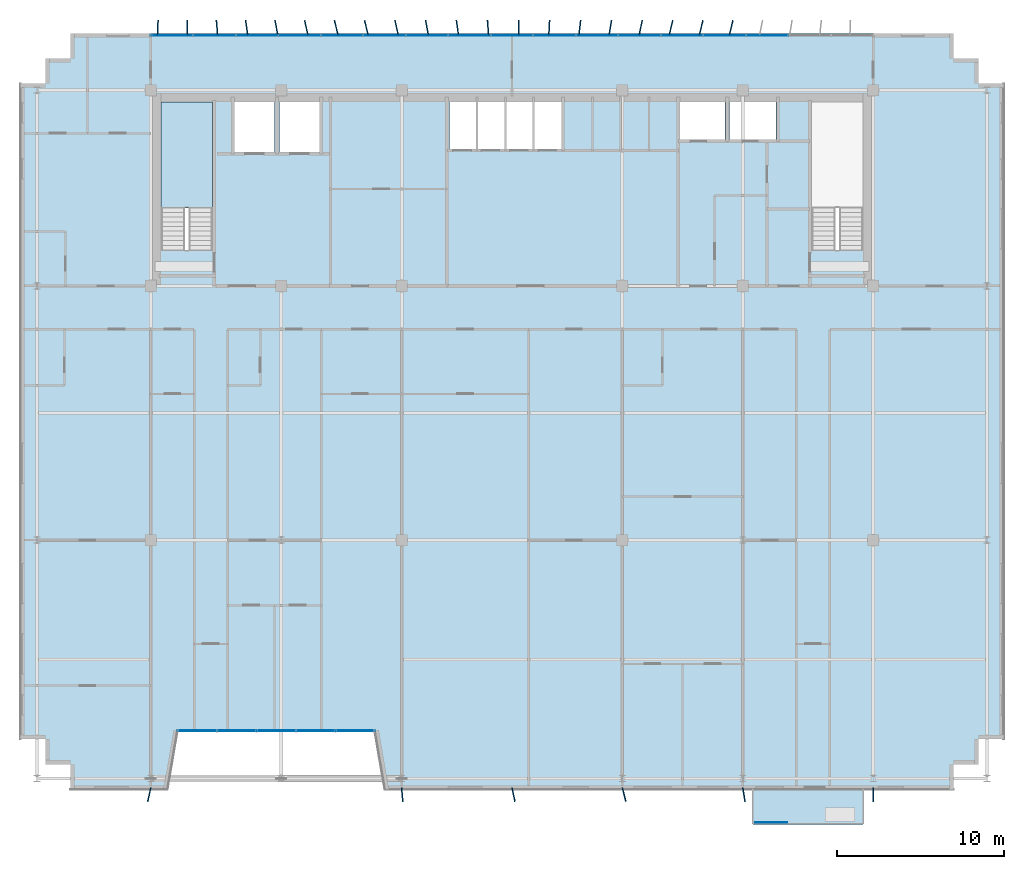
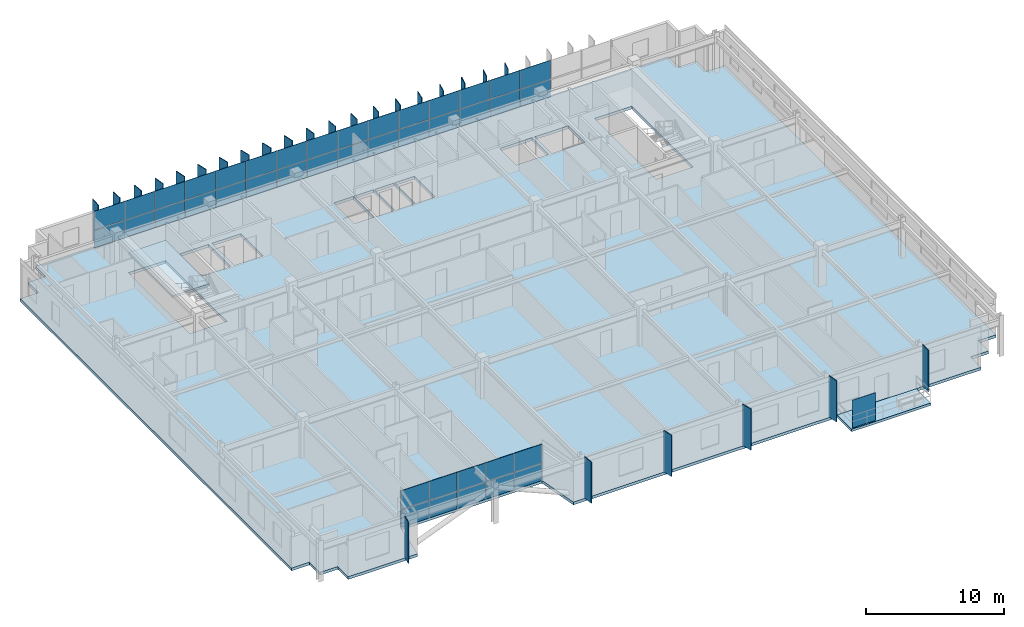
# One storey, part 16 of 24: 67 plates, 3 slabs, 3 elements without a shape of their own.
"""IFC4 building model written with IfcOpenShell, lengths in metres."""

from ifc_helpers import new_model, si_unit, direction, frame, origin, origin_2d, place, context, subcontext, project, spatial, polyline, rectangle, outline, extrude, source, transform, mapped, material, layer, layer_set, type_object, element, aggregate, save


model = new_model("IFC4")

# Units and contexts
model_context = context("Model", 3, precision=1e-05, world=origin(), true_north=direction((0.0, 1.0)))
body_context = subcontext(model_context, "Body", "Model", "MODEL_VIEW")
ifc_project = project(units=[si_unit("LENGTHUNIT", "METRE"), si_unit("AREAUNIT", "SQUARE_METRE"), si_unit("VOLUMEUNIT", "CUBIC_METRE"), si_unit("PLANEANGLEUNIT", "RADIAN"), si_unit("MASSUNIT", "GRAM", prefix="KILO")], contexts=[model_context])

# Site, building, storey
site_placement = place(None, origin())
site = spatial("IfcSite", under=ifc_project, at=site_placement, CompositionType="ELEMENT")
building_placement = place(site_placement, origin())
building = spatial("IfcBuilding", under=site, at=building_placement, Name="Trelvane Seafront Commons", CompositionType="ELEMENT")
storey_placement = place(building_placement, frame((0.0, 0.0, 178.89990234375)))
storey = spatial("IfcBuildingStorey", under=building, at=storey_placement, Name="L47", CompositionType="ELEMENT", Elevation=178.89990234375)

# Slab
ifc_material_1 = material(Name="Concrete C40/50", Category="concrete")
ifc_layer_1 = layer(ifc_material_1, 0.219970703125, Name="ARCH-BALC-220")
ifc_layer_set_1 = layer_set([ifc_layer_1], Name="Concrete C40/50")
slab_type_1 = type_object("IfcSlabType", Name="ARCH-BALC-220", PredefinedType="FLOOR", material=ifc_layer_set_1)
slab_1_placement = place(storey_placement, frame((0.0, 0.0, -0.219970703125)))
element("IfcSlab", 1, at=slab_1_placement, inside=storey, type_object=slab_type_1, Name="L47 Cantilevered Tree Balcony Loggia 2", PredefinedType="FLOOR", context=body_context, shape_type="SweptSolid", body=[
    extrude(outline(polyline([(51.60009765625, 1.199951171875), (58.199951171875, 1.199951171875), (58.199951171875, 3.300048828125), (51.60009765625, 3.300048828125), (51.60009765625, 1.199951171875)])), origin(), (0.0, 0.0, 1.0), 0.219970703125),
])

# Stair, slab
stair_type = type_object("IfcStairType", Name="ARCH-STR-ST-1-R20-180", PredefinedType="HALF_TURN_STAIR", material=ifc_material_1)
stair_placement = place(storey_placement, origin())
stair = element("IfcStair", 2, at=stair_placement, inside=storey, type_object=stair_type, Name="L47 West Protected Firefighting Exit Stair ST-1", PredefinedType="HALF_TURN_STAIR")
ifc_layer_2 = layer(ifc_material_1, 0.199951171875, Name="ARCH-LND-200")
ifc_layer_set_2 = layer_set([ifc_layer_2], Name="Concrete C40/50")
slab_type_2 = type_object("IfcSlabType", Name="ARCH-LND-200", PredefinedType="LANDING", material=ifc_layer_set_2)
slab_2_placement = place(storey_placement, frame((0.0, 0.0, 1.60009765625)))
slab_2 = element("IfcSlab", 3, at=slab_2_placement, type_object=slab_type_2, Name="ST-1 landing 1", PredefinedType="LANDING", context=body_context, shape_type="SweptSolid", body=[
    extrude(outline(polyline([(19.300048828125, 38.070068359375), (19.300048828125, 44.39990234375), (16.199951171875, 44.39990234375), (16.199951171875, 38.070068359375), (19.300048828125, 38.070068359375)])), origin(), (0.0, 0.0, 1.0), 0.199951171875),
])
aggregate(stair, [slab_2])

# Slab
ifc_material_2 = material(Name="Concrete C50/60", Category="concrete")
ifc_layer_3 = layer(ifc_material_2, 0.25, Name="STR-SLB-Z3-250")
ifc_layer_set_3 = layer_set([ifc_layer_3], Name="Concrete C50/60")
slab_type_3 = type_object("IfcSlabType", Name="STR-SLB-Z3-250", PredefinedType="FLOOR", material=ifc_layer_set_3)
slab_3_placement = place(storey_placement, frame((0.0, 0.0, -0.25)))
element("IfcSlab", 4, at=slab_3_placement, inside=storey, type_object=slab_type_3, Name="L47 Structural Floor Slab", PredefinedType="FLOOR", context=body_context, shape_type="SweptSolid", body=[
    extrude(outline(polyline([(10.800048828125, 3.300048828125), (16.60009765625, 3.300048828125), (17.199951171875, 6.800048828125), (29.0, 6.800048828125), (29.60009765625, 3.300048828125), (63.60009765625, 3.300048828125), (63.60009765625, 4.800048828125), (65.10009765625, 4.800048828125), (65.10009765625, 6.300048828125), (66.60009765625, 6.300048828125), (66.60009765625, 45.5), (65.10009765625, 45.5), (65.10009765625, 47.0), (63.60009765625, 47.0), (63.60009765625, 48.5), (10.800048828125, 48.5), (10.800048828125, 47.0), (9.300048828125, 47.0), (9.300048828125, 45.5), (7.800048828125, 45.5), (7.800048828125, 6.300048828125), (9.300048828125, 6.300048828125), (9.300048828125, 4.800048828125), (10.800048828125, 4.800048828125), (10.800048828125, 3.300048828125)]), holes=[polyline([(19.300048828125, 35.550048828125), (16.199951171875, 35.550048828125), (16.199951171875, 44.39990234375), (19.300048828125, 44.39990234375), (19.300048828125, 35.550048828125)]), polyline([(58.199951171875, 35.550048828125), (55.10009765625, 35.550048828125), (55.10009765625, 44.39990234375), (58.199951171875, 44.39990234375), (58.199951171875, 35.550048828125)]), polyline([(23.0, 41.39990234375), (20.60009765625, 41.39990234375), (20.60009765625, 44.60009765625), (23.0, 44.60009765625), (23.0, 41.39990234375)]), polyline([(23.300048828125, 41.39990234375), (23.300048828125, 44.60009765625), (25.699951171875, 44.60009765625), (25.699951171875, 41.39990234375), (23.300048828125, 41.39990234375)]), polyline([(33.449951171875, 41.60009765625), (33.449951171875, 44.60009765625), (35.070068359375, 44.60009765625), (35.070068359375, 41.60009765625), (33.449951171875, 41.60009765625)]), polyline([(36.77001953125, 41.60009765625), (35.14990234375, 41.60009765625), (35.14990234375, 44.60009765625), (36.77001953125, 44.60009765625), (36.77001953125, 41.60009765625)]), polyline([(38.469970703125, 41.60009765625), (36.85009765625, 41.60009765625), (36.85009765625, 44.60009765625), (38.469970703125, 44.60009765625), (38.469970703125, 41.60009765625)]), polyline([(40.169921875, 41.60009765625), (38.550048828125, 41.60009765625), (38.550048828125, 44.60009765625), (40.169921875, 44.60009765625), (40.169921875, 41.60009765625)]), polyline([(47.25, 42.14990234375), (47.25, 44.550048828125), (49.949951171875, 44.550048828125), (49.949951171875, 42.14990234375), (47.25, 42.14990234375)]), polyline([(50.199951171875, 42.14990234375), (50.199951171875, 44.550048828125), (53.0, 44.550048828125), (53.0, 42.14990234375), (50.199951171875, 42.14990234375)])]), origin(), (0.0, 0.0, 1.0), 0.25),
])

# Plates
ifc_material_3 = material(Name="Perforated anodised aluminium screen", Category="aluminium")
ifc_layer_4 = layer(ifc_material_3, 0.01611328125, Name="ARCH-PLATE-SCREEN")
ifc_layer_set_4 = layer_set([ifc_layer_4], Name="Perforated anodised aluminium screen")
plate_type_1 = type_object("IfcPlateType", Name="ARCH-PLATE-SCREEN", PredefinedType="USERDEFINED", material=ifc_layer_set_4)
shared_shape_1 = source(origin(), body_context, "Body", "SweptSolid", [
    extrude(rectangle(XDim=1.9140625, YDim=0.01611328125, at=origin_2d()), origin(), (0.0, 0.0, 1.0), 2.449951171875),
])
plate_1_placement = place(storey_placement, frame((52.70703125, 1.320068359375, 0.0), z_axis=(0.0, 0.0, 1.0), x_axis=(1.0, 0.0, 0.0)))
element("IfcPlate", 5, at=plate_1_placement, inside=storey, type_object=plate_type_1, Name="SCR-L47-00169", ObjectType="SCREEN", PredefinedType="USERDEFINED", context=body_context, shape_type="MappedRepresentation", body=[
    mapped(shared_shape_1, transform((0.0, 0.0, 0.0), x_axis=(1.0, 0.0, 0.0), y_axis=(0.0, 1.0, 0.0), z_axis=(0.0, 0.0, 1.0), scale=1.0)),
])
ifc_material_4 = material(Name="Anodised pale-silver aluminium", Category="aluminium")
ifc_layer_5 = layer(ifc_material_4, 0.06005859375, Name="ARCH-PLATE-FIN900")
ifc_layer_set_5 = layer_set([ifc_layer_5], Name="Anodised pale-silver aluminium")
plate_type_2 = type_object("IfcPlateType", Name="ARCH-PLATE-FIN900", PredefinedType="USERDEFINED", material=ifc_layer_set_5)
shared_shape_2 = source(origin(), body_context, "Body", "SweptSolid", [
    extrude(rectangle(XDim=0.89990234375, YDim=0.06005859375, at=origin_2d()), origin(), (0.0, 0.0, 1.0), 3.639892578125),
])
for number, where, z_axis, x_axis, name in (
    (6, (16.020263671875, 48.849609375, -0.02001953125), (0.0, 0.0, 1.0), (0.04488874218, 0.998991992373, 0.0), "FIN-L47-01307"),
    (7, (17.790283203125, 48.849853515625, -0.02001953125), (0.0, 0.0, 1.0), (-0.021554892127, 0.999767666323, 0.0), "FIN-L47-01308"),
    (8, (19.561279296875, 48.848388671875, -0.02001953125), (0.0, 0.0, 1.0), (-0.086336791462, 0.996266007871, 0.0), "FIN-L47-01309"),
    (9, (21.3349609375, 48.84521484375, -0.02001953125), (0.0, 0.0, 1.0), (-0.144330295227, 0.989529567966, 0.0), "FIN-L47-01310"),
    (10, (23.11376953125, 48.841796875, -0.02001953125), (0.0, 0.0, 1.0), (-0.191434297479, 0.98150543032, 0.0), "FIN-L47-01311"),
    (11, (24.899169921875, 48.83837890625, -0.02001953125), (0.0, 0.0, 1.0), (-0.224112577062, 0.974563262597, 0.0), "FIN-L47-01312"),
    (12, (26.69189453125, 48.8369140625, -0.02001953125), (0.0, 0.0, 1.0), (-0.240338165223, 0.970689222325, 0.0), "FIN-L47-01313"),
    (13, (28.492431640625, 48.8369140625, -0.02001953125), (0.0, 0.0, 1.0), (-0.239004625323, 0.971018428803, 0.0), "FIN-L47-01314"),
    (14, (30.30078125, 48.8388671875, -0.02001953125), (0.0, 0.0, 1.0), (-0.220329723955, 0.97542545217, 0.0), "FIN-L47-01315"),
    (15, (32.11669921875, 48.84228515625, -0.02001953125), (0.0, 0.0, 1.0), (-0.185335613167, 0.982675282325, 0.0), "FIN-L47-01316"),
    (16, (33.938720703125, 48.845703125, -0.02001953125), (0.0, 0.0, 1.0), (-0.136441792005, 0.990648089583, 0.0), "FIN-L47-01317"),
    (17, (35.765380859375, 48.8486328125, -0.02001953125), (0.0, 0.0, 1.0), (-0.077112304034, 0.997022413272, 0.0), "FIN-L47-01318"),
    (18, (37.5947265625, 48.849853515625, -0.02001953125), (0.0, 0.0, 1.0), (-0.011778954729, 0.999930625706, 0.0), "FIN-L47-01319"),
    (19, (39.424560546875, 48.849365234375, -0.02001953125), (0.0, 0.0, 1.0), (0.054443049408, 0.998516877359, 0.0), "FIN-L47-01320"),
    (20, (41.25244140625, 48.846923828125, -0.02001953125), (0.0, 0.0, 1.0), (0.116441923913, 0.993197502189, 0.0), "FIN-L47-01321"),
    (21, (43.076416015625, 48.843505859375, -0.02001953125), (0.0, 0.0, 1.0), (0.169549034276, 0.985521752665, 0.0), "FIN-L47-01322"),
    (22, (44.894287109375, 48.840087890625, -0.02001953125), (0.0, 0.0, 1.0), (0.209666346157, 0.977772991696, 0.0), "FIN-L47-01323"),
    (23, (46.705322265625, 48.83740234375, -0.02001953125), (0.0, 0.0, 1.0), (0.234343033126, 0.97215397074, 0.0), "FIN-L47-01324"),
    (24, (48.5087890625, 48.836669921875, -0.02001953125), (0.0, 0.0, 1.0), (0.241881251735, 0.970305859025, 0.0), "FIN-L47-01325"),
    (25, (50.30419921875, 48.837646484375, -0.02001953125), (0.0, 0.0, 1.0), (0.231775068431, 0.972769406208, 0.0), "FIN-L47-01326"),
):
    element("IfcPlate", number, at=place(storey_placement, frame(where, z_axis=z_axis, x_axis=x_axis)), inside=storey, type_object=plate_type_2, Name=name, ObjectType="FIN", PredefinedType="USERDEFINED", context=body_context, shape_type="MappedRepresentation", body=[
        mapped(shared_shape_2, transform((0.0, 0.0, 0.0), x_axis=(1.0, 0.0, 0.0), y_axis=(0.0, 1.0, 0.0), z_axis=(0.0, 0.0, 1.0), scale=1.0)),
    ])
shared_shape_3 = source(origin(), body_context, "Body", "SweptSolid", [
    extrude(rectangle(XDim=0.85009765625, YDim=0.06005859375, at=origin_2d()), origin(), (0.0, 0.0, 1.0), 3.639892578125),
])
for number, where, z_axis, x_axis, name in (
    (26, (15.51025390625, 2.984619140625, -0.02001953125), (0.0, 0.0, 1.0), (-0.211046724162, -0.977475974242, 0.0), "FIN-S-L47-01331"),
    (27, (30.635009765625, 2.976318359375, -0.02001953125), (0.0, 0.0, 1.0), (0.082354232521, -0.996603120799, 0.0), "FIN-S-L47-01332"),
    (28, (37.2890625, 2.984375, -0.02001953125), (0.0, 0.0, 1.0), (0.209649280767, -0.977776650915, 0.0), "FIN-S-L47-01333"),
    (29, (43.9013671875, 2.9873046875, -0.02001953125), (0.0, 0.0, 1.0), (0.238353788896, -0.971178393149, 0.0), "FIN-S-L47-01334"),
    (30, (51.06640625, 2.980224609375, -0.02001953125), (0.0, 0.0, 1.0), (0.156227600648, -0.98772108249, 0.0), "FIN-S-L47-01335"),
    (31, (58.7998046875, 2.97509765625, -0.02001953125), (0.0, 0.0, 1.0), (-0.000705112959, -0.999999751408, 0.0), "FIN-S-L47-01336"),
):
    element("IfcPlate", number, at=place(storey_placement, frame(where, z_axis=z_axis, x_axis=x_axis)), inside=storey, type_object=plate_type_2, Name=name, ObjectType="FIN", PredefinedType="USERDEFINED", context=body_context, shape_type="MappedRepresentation", body=[
        mapped(shared_shape_3, transform((0.0, 0.0, 0.0), x_axis=(1.0, 0.0, 0.0), y_axis=(0.0, 1.0, 0.0), z_axis=(0.0, 0.0, 1.0), scale=1.0)),
    ])

# Curtain wall, plates
curtain_wall_type_1 = type_object("IfcCurtainWallType", Name="ARCH-CW3-PORTAL", PredefinedType="NOTDEFINED", material=ifc_material_4)
curtain_wall_1_placement = place(storey_placement, origin())
curtain_wall_1 = element("IfcCurtainWall", 32, at=curtain_wall_1_placement, inside=storey, type_object=curtain_wall_type_1, Name="CW-L47-VN-0076", PredefinedType="NOTDEFINED")
ifc_material_5 = material(Name="Low-E coastal double glazing", Category="glass")
ifc_layer_6 = layer(ifc_material_5, 0.033935546875, Name="ARCH-CW-GLAZ-34")
ifc_layer_set_6 = layer_set([ifc_layer_6], Name="Low-E coastal double glazing")
plate_type_3 = type_object("IfcPlateType", Name="ARCH-CW-GLAZ-34", PredefinedType="CURTAIN_PANEL", material=ifc_layer_set_6)
shared_shape_4 = source(origin(), body_context, "Body", "SweptSolid", [
    extrude(rectangle(XDim=2.3359375, YDim=0.0380859375, at=origin_2d()), origin(), (0.0, 0.0, 1.0), 1.528076171875),
])
plate_2_placement = place(storey_placement, frame((27.820068359375, 6.800048828125, 0.0), z_axis=(0.0, 0.0, 1.0), x_axis=(-1.0, 0.0, 0.0)))
plate_2 = element("IfcPlate", 33, at=plate_2_placement, type_object=plate_type_3, Name="CW-L47-VN-0076-P00-1", PredefinedType="CURTAIN_PANEL", context=body_context, shape_type="MappedRepresentation", body=[
    mapped(shared_shape_4, transform((0.0, 0.0, 0.0), x_axis=(1.0, 0.0, 0.0), y_axis=(0.0, 1.0, 0.0), z_axis=(0.0, 0.0, 1.0), scale=1.0)),
])
plate_3_placement = place(storey_placement, frame((25.4599609375, 6.800048828125, 0.0), z_axis=(0.0, 0.0, 1.0), x_axis=(-1.0, 0.0, 0.0)))
plate_3 = element("IfcPlate", 34, at=plate_3_placement, type_object=plate_type_3, Name="CW-L47-VN-0076-P01-1", PredefinedType="CURTAIN_PANEL", context=body_context, shape_type="MappedRepresentation", body=[
    mapped(shared_shape_4, transform((0.0, 0.0, 0.0), x_axis=(1.0, 0.0, 0.0), y_axis=(0.0, 1.0, 0.0), z_axis=(0.0, 0.0, 1.0), scale=1.0)),
])
plate_4_placement = place(storey_placement, frame((23.10009765625, 6.800048828125, 0.0), z_axis=(0.0, 0.0, 1.0), x_axis=(-1.0, 0.0, 0.0)))
plate_4 = element("IfcPlate", 35, at=plate_4_placement, type_object=plate_type_3, Name="CW-L47-VN-0076-P02-1", PredefinedType="CURTAIN_PANEL", context=body_context, shape_type="MappedRepresentation", body=[
    mapped(shared_shape_4, transform((0.0, 0.0, 0.0), x_axis=(1.0, 0.0, 0.0), y_axis=(0.0, 1.0, 0.0), z_axis=(0.0, 0.0, 1.0), scale=1.0)),
])
plate_5_placement = place(storey_placement, frame((20.739990234375, 6.800048828125, 0.0), z_axis=(0.0, 0.0, 1.0), x_axis=(-1.0, 0.0, 0.0)))
plate_5 = element("IfcPlate", 36, at=plate_5_placement, type_object=plate_type_3, Name="CW-L47-VN-0076-P03-1", PredefinedType="CURTAIN_PANEL", context=body_context, shape_type="MappedRepresentation", body=[
    mapped(shared_shape_4, transform((0.0, 0.0, 0.0), x_axis=(1.0, 0.0, 0.0), y_axis=(0.0, 1.0, 0.0), z_axis=(0.0, 0.0, 1.0), scale=1.0)),
])
plate_6_placement = place(storey_placement, frame((18.3798828125, 6.800048828125, 0.0), z_axis=(0.0, 0.0, 1.0), x_axis=(-1.0, 0.0, 0.0)))
plate_6 = element("IfcPlate", 37, at=plate_6_placement, type_object=plate_type_3, Name="CW-L47-VN-0076-P04-1", PredefinedType="CURTAIN_PANEL", context=body_context, shape_type="MappedRepresentation", body=[
    mapped(shared_shape_4, transform((0.0, 0.0, 0.0), x_axis=(1.0, 0.0, 0.0), y_axis=(0.0, 1.0, 0.0), z_axis=(0.0, 0.0, 1.0), scale=1.0)),
])
shared_shape_5 = source(origin(), body_context, "Body", "SweptSolid", [
    extrude(rectangle(XDim=2.3359375, YDim=0.0380859375, at=origin_2d()), origin(), (0.0, 0.0, 1.0), 1.656005859375),
])
plate_7_placement = place(storey_placement, frame((27.820068359375, 6.800048828125, 1.56396484375), z_axis=(0.0, 0.0, 1.0), x_axis=(-1.0, 0.0, 0.0)))
plate_7 = element("IfcPlate", 38, at=plate_7_placement, type_object=plate_type_3, Name="CW-L47-VN-0076-P00-2", PredefinedType="CURTAIN_PANEL", context=body_context, shape_type="MappedRepresentation", body=[
    mapped(shared_shape_5, transform((0.0, 0.0, 0.0), x_axis=(1.0, 0.0, 0.0), y_axis=(0.0, 1.0, 0.0), z_axis=(0.0, 0.0, 1.0), scale=1.0)),
])
plate_8_placement = place(storey_placement, frame((25.4599609375, 6.800048828125, 1.56396484375), z_axis=(0.0, 0.0, 1.0), x_axis=(-1.0, 0.0, 0.0)))
plate_8 = element("IfcPlate", 39, at=plate_8_placement, type_object=plate_type_3, Name="CW-L47-VN-0076-P01-2", PredefinedType="CURTAIN_PANEL", context=body_context, shape_type="MappedRepresentation", body=[
    mapped(shared_shape_5, transform((0.0, 0.0, 0.0), x_axis=(1.0, 0.0, 0.0), y_axis=(0.0, 1.0, 0.0), z_axis=(0.0, 0.0, 1.0), scale=1.0)),
])
plate_9_placement = place(storey_placement, frame((23.10009765625, 6.800048828125, 1.56396484375), z_axis=(0.0, 0.0, 1.0), x_axis=(-1.0, 0.0, 0.0)))
plate_9 = element("IfcPlate", 40, at=plate_9_placement, type_object=plate_type_3, Name="CW-L47-VN-0076-P02-2", PredefinedType="CURTAIN_PANEL", context=body_context, shape_type="MappedRepresentation", body=[
    mapped(shared_shape_5, transform((0.0, 0.0, 0.0), x_axis=(1.0, 0.0, 0.0), y_axis=(0.0, 1.0, 0.0), z_axis=(0.0, 0.0, 1.0), scale=1.0)),
])
plate_10_placement = place(storey_placement, frame((20.739990234375, 6.800048828125, 1.56396484375), z_axis=(0.0, 0.0, 1.0), x_axis=(-1.0, 0.0, 0.0)))
plate_10 = element("IfcPlate", 41, at=plate_10_placement, type_object=plate_type_3, Name="CW-L47-VN-0076-P03-2", PredefinedType="CURTAIN_PANEL", context=body_context, shape_type="MappedRepresentation", body=[
    mapped(shared_shape_5, transform((0.0, 0.0, 0.0), x_axis=(1.0, 0.0, 0.0), y_axis=(0.0, 1.0, 0.0), z_axis=(0.0, 0.0, 1.0), scale=1.0)),
])
plate_11_placement = place(storey_placement, frame((18.3798828125, 6.800048828125, 1.56396484375), z_axis=(0.0, 0.0, 1.0), x_axis=(-1.0, 0.0, 0.0)))
plate_11 = element("IfcPlate", 42, at=plate_11_placement, type_object=plate_type_3, Name="CW-L47-VN-0076-P04-2", PredefinedType="CURTAIN_PANEL", context=body_context, shape_type="MappedRepresentation", body=[
    mapped(shared_shape_5, transform((0.0, 0.0, 0.0), x_axis=(1.0, 0.0, 0.0), y_axis=(0.0, 1.0, 0.0), z_axis=(0.0, 0.0, 1.0), scale=1.0)),
])
aggregate(curtain_wall_1, [plate_2, plate_7, plate_3, plate_8, plate_4, plate_9, plate_5, plate_10, plate_6, plate_11])

curtain_wall_type_2 = type_object("IfcCurtainWallType", Name="ARCH-CW5-UPTOWER", PredefinedType="NOTDEFINED", material=ifc_material_4)
curtain_wall_2_placement = place(storey_placement, origin())
curtain_wall_2 = element("IfcCurtainWall", 43, at=curtain_wall_2_placement, inside=storey, type_object=curtain_wall_type_2, Name="CW-L47-0075", PredefinedType="NOTDEFINED")
shared_shape_6 = source(origin(), body_context, "Body", "SweptSolid", [
    extrude(rectangle(XDim=2.51708984375, YDim=0.033935546875, at=origin_2d()), origin(), (0.0, 0.0, 1.0), 1.528076171875),
])
plate_12_placement = place(storey_placement, frame((16.87060546875, 48.3701171875, 0.0), z_axis=(0.0, 0.0, 1.0), x_axis=(1.0, 0.0, 0.0)))
plate_12 = element("IfcPlate", 44, at=plate_12_placement, type_object=plate_type_3, Name="CW-L47-0075-P00-1", PredefinedType="CURTAIN_PANEL", context=body_context, shape_type="MappedRepresentation", body=[
    mapped(shared_shape_6, transform((0.0, 0.0, 0.0), x_axis=(1.0, 0.0, 0.0), y_axis=(0.0, 1.0, 0.0), z_axis=(0.0, 0.0, 1.0), scale=1.0)),
])
plate_13_placement = place(storey_placement, frame((19.411865234375, 48.3701171875, 0.0), z_axis=(0.0, 0.0, 1.0), x_axis=(1.0, 0.0, 0.0)))
plate_13 = element("IfcPlate", 45, at=plate_13_placement, type_object=plate_type_3, Name="CW-L47-0075-P01-1", PredefinedType="CURTAIN_PANEL", context=body_context, shape_type="MappedRepresentation", body=[
    mapped(shared_shape_6, transform((0.0, 0.0, 0.0), x_axis=(1.0, 0.0, 0.0), y_axis=(0.0, 1.0, 0.0), z_axis=(0.0, 0.0, 1.0), scale=1.0)),
])
plate_14_placement = place(storey_placement, frame((21.952880859375, 48.3701171875, 0.0), z_axis=(0.0, 0.0, 1.0), x_axis=(1.0, 0.0, 0.0)))
plate_14 = element("IfcPlate", 46, at=plate_14_placement, type_object=plate_type_3, Name="CW-L47-0075-P02-1", PredefinedType="CURTAIN_PANEL", context=body_context, shape_type="MappedRepresentation", body=[
    mapped(shared_shape_6, transform((0.0, 0.0, 0.0), x_axis=(1.0, 0.0, 0.0), y_axis=(0.0, 1.0, 0.0), z_axis=(0.0, 0.0, 1.0), scale=1.0)),
])
plate_15_placement = place(storey_placement, frame((24.494140625, 48.3701171875, 0.0), z_axis=(0.0, 0.0, 1.0), x_axis=(1.0, 0.0, 0.0)))
plate_15 = element("IfcPlate", 47, at=plate_15_placement, type_object=plate_type_3, Name="CW-L47-0075-P03-1", PredefinedType="CURTAIN_PANEL", context=body_context, shape_type="MappedRepresentation", body=[
    mapped(shared_shape_6, transform((0.0, 0.0, 0.0), x_axis=(1.0, 0.0, 0.0), y_axis=(0.0, 1.0, 0.0), z_axis=(0.0, 0.0, 1.0), scale=1.0)),
])
plate_16_placement = place(storey_placement, frame((27.035400390625, 48.3701171875, 0.0), z_axis=(0.0, 0.0, 1.0), x_axis=(1.0, 0.0, 0.0)))
plate_16 = element("IfcPlate", 48, at=plate_16_placement, type_object=plate_type_3, Name="CW-L47-0075-P04-1", PredefinedType="CURTAIN_PANEL", context=body_context, shape_type="MappedRepresentation", body=[
    mapped(shared_shape_6, transform((0.0, 0.0, 0.0), x_axis=(1.0, 0.0, 0.0), y_axis=(0.0, 1.0, 0.0), z_axis=(0.0, 0.0, 1.0), scale=1.0)),
])
plate_17_placement = place(storey_placement, frame((29.576416015625, 48.3701171875, 0.0), z_axis=(0.0, 0.0, 1.0), x_axis=(1.0, 0.0, 0.0)))
plate_17 = element("IfcPlate", 49, at=plate_17_placement, type_object=plate_type_3, Name="CW-L47-0075-P05-1", PredefinedType="CURTAIN_PANEL", context=body_context, shape_type="MappedRepresentation", body=[
    mapped(shared_shape_6, transform((0.0, 0.0, 0.0), x_axis=(1.0, 0.0, 0.0), y_axis=(0.0, 1.0, 0.0), z_axis=(0.0, 0.0, 1.0), scale=1.0)),
])
plate_18_placement = place(storey_placement, frame((32.11767578125, 48.3701171875, 0.0), z_axis=(0.0, 0.0, 1.0), x_axis=(1.0, 0.0, 0.0)))
plate_18 = element("IfcPlate", 50, at=plate_18_placement, type_object=plate_type_3, Name="CW-L47-0075-P06-1", PredefinedType="CURTAIN_PANEL", context=body_context, shape_type="MappedRepresentation", body=[
    mapped(shared_shape_6, transform((0.0, 0.0, 0.0), x_axis=(1.0, 0.0, 0.0), y_axis=(0.0, 1.0, 0.0), z_axis=(0.0, 0.0, 1.0), scale=1.0)),
])
plate_19_placement = place(storey_placement, frame((34.65869140625, 48.3701171875, 0.0), z_axis=(0.0, 0.0, 1.0), x_axis=(1.0, 0.0, 0.0)))
plate_19 = element("IfcPlate", 51, at=plate_19_placement, type_object=plate_type_3, Name="CW-L47-0075-P07-1", PredefinedType="CURTAIN_PANEL", context=body_context, shape_type="MappedRepresentation", body=[
    mapped(shared_shape_6, transform((0.0, 0.0, 0.0), x_axis=(1.0, 0.0, 0.0), y_axis=(0.0, 1.0, 0.0), z_axis=(0.0, 0.0, 1.0), scale=1.0)),
])
plate_20_placement = place(storey_placement, frame((37.199951171875, 48.3701171875, 0.0), z_axis=(0.0, 0.0, 1.0), x_axis=(1.0, 0.0, 0.0)))
plate_20 = element("IfcPlate", 52, at=plate_20_placement, type_object=plate_type_3, Name="CW-L47-0075-P08-1", PredefinedType="CURTAIN_PANEL", context=body_context, shape_type="MappedRepresentation", body=[
    mapped(shared_shape_6, transform((0.0, 0.0, 0.0), x_axis=(1.0, 0.0, 0.0), y_axis=(0.0, 1.0, 0.0), z_axis=(0.0, 0.0, 1.0), scale=1.0)),
])
plate_21_placement = place(storey_placement, frame((39.7412109375, 48.3701171875, 0.0), z_axis=(0.0, 0.0, 1.0), x_axis=(1.0, 0.0, 0.0)))
plate_21 = element("IfcPlate", 53, at=plate_21_placement, type_object=plate_type_3, Name="CW-L47-0075-P09-1", PredefinedType="CURTAIN_PANEL", context=body_context, shape_type="MappedRepresentation", body=[
    mapped(shared_shape_6, transform((0.0, 0.0, 0.0), x_axis=(1.0, 0.0, 0.0), y_axis=(0.0, 1.0, 0.0), z_axis=(0.0, 0.0, 1.0), scale=1.0)),
])
plate_22_placement = place(storey_placement, frame((42.282470703125, 48.3701171875, 0.0), z_axis=(0.0, 0.0, 1.0), x_axis=(1.0, 0.0, 0.0)))
plate_22 = element("IfcPlate", 54, at=plate_22_placement, type_object=plate_type_3, Name="CW-L47-0075-P10-1", PredefinedType="CURTAIN_PANEL", context=body_context, shape_type="MappedRepresentation", body=[
    mapped(shared_shape_6, transform((0.0, 0.0, 0.0), x_axis=(1.0, 0.0, 0.0), y_axis=(0.0, 1.0, 0.0), z_axis=(0.0, 0.0, 1.0), scale=1.0)),
])
plate_23_placement = place(storey_placement, frame((44.823486328125, 48.3701171875, 0.0), z_axis=(0.0, 0.0, 1.0), x_axis=(1.0, 0.0, 0.0)))
plate_23 = element("IfcPlate", 55, at=plate_23_placement, type_object=plate_type_3, Name="CW-L47-0075-P11-1", PredefinedType="CURTAIN_PANEL", context=body_context, shape_type="MappedRepresentation", body=[
    mapped(shared_shape_6, transform((0.0, 0.0, 0.0), x_axis=(1.0, 0.0, 0.0), y_axis=(0.0, 1.0, 0.0), z_axis=(0.0, 0.0, 1.0), scale=1.0)),
])
plate_24_placement = place(storey_placement, frame((47.36474609375, 48.3701171875, 0.0), z_axis=(0.0, 0.0, 1.0), x_axis=(1.0, 0.0, 0.0)))
plate_24 = element("IfcPlate", 56, at=plate_24_placement, type_object=plate_type_3, Name="CW-L47-0075-P12-1", PredefinedType="CURTAIN_PANEL", context=body_context, shape_type="MappedRepresentation", body=[
    mapped(shared_shape_6, transform((0.0, 0.0, 0.0), x_axis=(1.0, 0.0, 0.0), y_axis=(0.0, 1.0, 0.0), z_axis=(0.0, 0.0, 1.0), scale=1.0)),
])
plate_25_placement = place(storey_placement, frame((49.906005859375, 48.3701171875, 0.0), z_axis=(0.0, 0.0, 1.0), x_axis=(1.0, 0.0, 0.0)))
plate_25 = element("IfcPlate", 57, at=plate_25_placement, type_object=plate_type_3, Name="CW-L47-0075-P13-1", PredefinedType="CURTAIN_PANEL", context=body_context, shape_type="MappedRepresentation", body=[
    mapped(shared_shape_6, transform((0.0, 0.0, 0.0), x_axis=(1.0, 0.0, 0.0), y_axis=(0.0, 1.0, 0.0), z_axis=(0.0, 0.0, 1.0), scale=1.0)),
])
plate_26_placement = place(storey_placement, frame((52.447021484375, 48.3701171875, 0.0), z_axis=(0.0, 0.0, 1.0), x_axis=(1.0, 0.0, 0.0)))
plate_26 = element("IfcPlate", 58, at=plate_26_placement, type_object=plate_type_3, Name="CW-L47-0075-P14-1", PredefinedType="CURTAIN_PANEL", context=body_context, shape_type="MappedRepresentation", body=[
    mapped(shared_shape_6, transform((0.0, 0.0, 0.0), x_axis=(1.0, 0.0, 0.0), y_axis=(0.0, 1.0, 0.0), z_axis=(0.0, 0.0, 1.0), scale=1.0)),
])
shared_shape_7 = source(origin(), body_context, "Body", "SweptSolid", [
    extrude(rectangle(XDim=2.51708984375, YDim=0.033935546875, at=origin_2d()), origin(), (0.0, 0.0, 1.0), 1.656005859375),
])
plate_27_placement = place(storey_placement, frame((16.87060546875, 48.3701171875, 1.56396484375), z_axis=(0.0, 0.0, 1.0), x_axis=(1.0, 0.0, 0.0)))
plate_27 = element("IfcPlate", 59, at=plate_27_placement, type_object=plate_type_3, Name="CW-L47-0075-P00-2", PredefinedType="CURTAIN_PANEL", context=body_context, shape_type="MappedRepresentation", body=[
    mapped(shared_shape_7, transform((0.0, 0.0, 0.0), x_axis=(1.0, 0.0, 0.0), y_axis=(0.0, 1.0, 0.0), z_axis=(0.0, 0.0, 1.0), scale=1.0)),
])
plate_28_placement = place(storey_placement, frame((19.411865234375, 48.3701171875, 1.56396484375), z_axis=(0.0, 0.0, 1.0), x_axis=(1.0, 0.0, 0.0)))
plate_28 = element("IfcPlate", 60, at=plate_28_placement, type_object=plate_type_3, Name="CW-L47-0075-P01-2", PredefinedType="CURTAIN_PANEL", context=body_context, shape_type="MappedRepresentation", body=[
    mapped(shared_shape_7, transform((0.0, 0.0, 0.0), x_axis=(1.0, 0.0, 0.0), y_axis=(0.0, 1.0, 0.0), z_axis=(0.0, 0.0, 1.0), scale=1.0)),
])
plate_29_placement = place(storey_placement, frame((21.952880859375, 48.3701171875, 1.56396484375), z_axis=(0.0, 0.0, 1.0), x_axis=(1.0, 0.0, 0.0)))
plate_29 = element("IfcPlate", 61, at=plate_29_placement, type_object=plate_type_3, Name="CW-L47-0075-P02-2", PredefinedType="CURTAIN_PANEL", context=body_context, shape_type="MappedRepresentation", body=[
    mapped(shared_shape_7, transform((0.0, 0.0, 0.0), x_axis=(1.0, 0.0, 0.0), y_axis=(0.0, 1.0, 0.0), z_axis=(0.0, 0.0, 1.0), scale=1.0)),
])
plate_30_placement = place(storey_placement, frame((24.494140625, 48.3701171875, 1.56396484375), z_axis=(0.0, 0.0, 1.0), x_axis=(1.0, 0.0, 0.0)))
plate_30 = element("IfcPlate", 62, at=plate_30_placement, type_object=plate_type_3, Name="CW-L47-0075-P03-2", PredefinedType="CURTAIN_PANEL", context=body_context, shape_type="MappedRepresentation", body=[
    mapped(shared_shape_7, transform((0.0, 0.0, 0.0), x_axis=(1.0, 0.0, 0.0), y_axis=(0.0, 1.0, 0.0), z_axis=(0.0, 0.0, 1.0), scale=1.0)),
])
plate_31_placement = place(storey_placement, frame((27.035400390625, 48.3701171875, 1.56396484375), z_axis=(0.0, 0.0, 1.0), x_axis=(1.0, 0.0, 0.0)))
plate_31 = element("IfcPlate", 63, at=plate_31_placement, type_object=plate_type_3, Name="CW-L47-0075-P04-2", PredefinedType="CURTAIN_PANEL", context=body_context, shape_type="MappedRepresentation", body=[
    mapped(shared_shape_7, transform((0.0, 0.0, 0.0), x_axis=(1.0, 0.0, 0.0), y_axis=(0.0, 1.0, 0.0), z_axis=(0.0, 0.0, 1.0), scale=1.0)),
])
plate_32_placement = place(storey_placement, frame((29.576416015625, 48.3701171875, 1.56396484375), z_axis=(0.0, 0.0, 1.0), x_axis=(1.0, 0.0, 0.0)))
plate_32 = element("IfcPlate", 64, at=plate_32_placement, type_object=plate_type_3, Name="CW-L47-0075-P05-2", PredefinedType="CURTAIN_PANEL", context=body_context, shape_type="MappedRepresentation", body=[
    mapped(shared_shape_7, transform((0.0, 0.0, 0.0), x_axis=(1.0, 0.0, 0.0), y_axis=(0.0, 1.0, 0.0), z_axis=(0.0, 0.0, 1.0), scale=1.0)),
])
plate_33_placement = place(storey_placement, frame((32.11767578125, 48.3701171875, 1.56396484375), z_axis=(0.0, 0.0, 1.0), x_axis=(1.0, 0.0, 0.0)))
plate_33 = element("IfcPlate", 65, at=plate_33_placement, type_object=plate_type_3, Name="CW-L47-0075-P06-2", PredefinedType="CURTAIN_PANEL", context=body_context, shape_type="MappedRepresentation", body=[
    mapped(shared_shape_7, transform((0.0, 0.0, 0.0), x_axis=(1.0, 0.0, 0.0), y_axis=(0.0, 1.0, 0.0), z_axis=(0.0, 0.0, 1.0), scale=1.0)),
])
plate_34_placement = place(storey_placement, frame((34.65869140625, 48.3701171875, 1.56396484375), z_axis=(0.0, 0.0, 1.0), x_axis=(1.0, 0.0, 0.0)))
plate_34 = element("IfcPlate", 66, at=plate_34_placement, type_object=plate_type_3, Name="CW-L47-0075-P07-2", PredefinedType="CURTAIN_PANEL", context=body_context, shape_type="MappedRepresentation", body=[
    mapped(shared_shape_7, transform((0.0, 0.0, 0.0), x_axis=(1.0, 0.0, 0.0), y_axis=(0.0, 1.0, 0.0), z_axis=(0.0, 0.0, 1.0), scale=1.0)),
])
plate_35_placement = place(storey_placement, frame((37.199951171875, 48.3701171875, 1.56396484375), z_axis=(0.0, 0.0, 1.0), x_axis=(1.0, 0.0, 0.0)))
plate_35 = element("IfcPlate", 67, at=plate_35_placement, type_object=plate_type_3, Name="CW-L47-0075-P08-2", PredefinedType="CURTAIN_PANEL", context=body_context, shape_type="MappedRepresentation", body=[
    mapped(shared_shape_7, transform((0.0, 0.0, 0.0), x_axis=(1.0, 0.0, 0.0), y_axis=(0.0, 1.0, 0.0), z_axis=(0.0, 0.0, 1.0), scale=1.0)),
])
plate_36_placement = place(storey_placement, frame((39.7412109375, 48.3701171875, 1.56396484375), z_axis=(0.0, 0.0, 1.0), x_axis=(1.0, 0.0, 0.0)))
plate_36 = element("IfcPlate", 68, at=plate_36_placement, type_object=plate_type_3, Name="CW-L47-0075-P09-2", PredefinedType="CURTAIN_PANEL", context=body_context, shape_type="MappedRepresentation", body=[
    mapped(shared_shape_7, transform((0.0, 0.0, 0.0), x_axis=(1.0, 0.0, 0.0), y_axis=(0.0, 1.0, 0.0), z_axis=(0.0, 0.0, 1.0), scale=1.0)),
])
plate_37_placement = place(storey_placement, frame((42.282470703125, 48.3701171875, 1.56396484375), z_axis=(0.0, 0.0, 1.0), x_axis=(1.0, 0.0, 0.0)))
plate_37 = element("IfcPlate", 69, at=plate_37_placement, type_object=plate_type_3, Name="CW-L47-0075-P10-2", PredefinedType="CURTAIN_PANEL", context=body_context, shape_type="MappedRepresentation", body=[
    mapped(shared_shape_7, transform((0.0, 0.0, 0.0), x_axis=(1.0, 0.0, 0.0), y_axis=(0.0, 1.0, 0.0), z_axis=(0.0, 0.0, 1.0), scale=1.0)),
])
plate_38_placement = place(storey_placement, frame((44.823486328125, 48.3701171875, 1.56396484375), z_axis=(0.0, 0.0, 1.0), x_axis=(1.0, 0.0, 0.0)))
plate_38 = element("IfcPlate", 70, at=plate_38_placement, type_object=plate_type_3, Name="CW-L47-0075-P11-2", PredefinedType="CURTAIN_PANEL", context=body_context, shape_type="MappedRepresentation", body=[
    mapped(shared_shape_7, transform((0.0, 0.0, 0.0), x_axis=(1.0, 0.0, 0.0), y_axis=(0.0, 1.0, 0.0), z_axis=(0.0, 0.0, 1.0), scale=1.0)),
])
plate_39_placement = place(storey_placement, frame((47.36474609375, 48.3701171875, 1.56396484375), z_axis=(0.0, 0.0, 1.0), x_axis=(1.0, 0.0, 0.0)))
plate_39 = element("IfcPlate", 71, at=plate_39_placement, type_object=plate_type_3, Name="CW-L47-0075-P12-2", PredefinedType="CURTAIN_PANEL", context=body_context, shape_type="MappedRepresentation", body=[
    mapped(shared_shape_7, transform((0.0, 0.0, 0.0), x_axis=(1.0, 0.0, 0.0), y_axis=(0.0, 1.0, 0.0), z_axis=(0.0, 0.0, 1.0), scale=1.0)),
])
plate_40_placement = place(storey_placement, frame((49.906005859375, 48.3701171875, 1.56396484375), z_axis=(0.0, 0.0, 1.0), x_axis=(1.0, 0.0, 0.0)))
plate_40 = element("IfcPlate", 72, at=plate_40_placement, type_object=plate_type_3, Name="CW-L47-0075-P13-2", PredefinedType="CURTAIN_PANEL", context=body_context, shape_type="MappedRepresentation", body=[
    mapped(shared_shape_7, transform((0.0, 0.0, 0.0), x_axis=(1.0, 0.0, 0.0), y_axis=(0.0, 1.0, 0.0), z_axis=(0.0, 0.0, 1.0), scale=1.0)),
])
plate_41_placement = place(storey_placement, frame((52.447021484375, 48.3701171875, 1.56396484375), z_axis=(0.0, 0.0, 1.0), x_axis=(1.0, 0.0, 0.0)))
plate_41 = element("IfcPlate", 73, at=plate_41_placement, type_object=plate_type_3, Name="CW-L47-0075-P14-2", PredefinedType="CURTAIN_PANEL", context=body_context, shape_type="MappedRepresentation", body=[
    mapped(shared_shape_7, transform((0.0, 0.0, 0.0), x_axis=(1.0, 0.0, 0.0), y_axis=(0.0, 1.0, 0.0), z_axis=(0.0, 0.0, 1.0), scale=1.0)),
])
aggregate(curtain_wall_2, [plate_12, plate_27, plate_13, plate_28, plate_14, plate_29, plate_15, plate_30, plate_16, plate_31, plate_17, plate_32, plate_18, plate_33, plate_19, plate_34, plate_20, plate_35, plate_21, plate_36, plate_22, plate_37, plate_23, plate_38, plate_24, plate_39, plate_25, plate_40, plate_26, plate_41])

save(model, "model.ifc")
